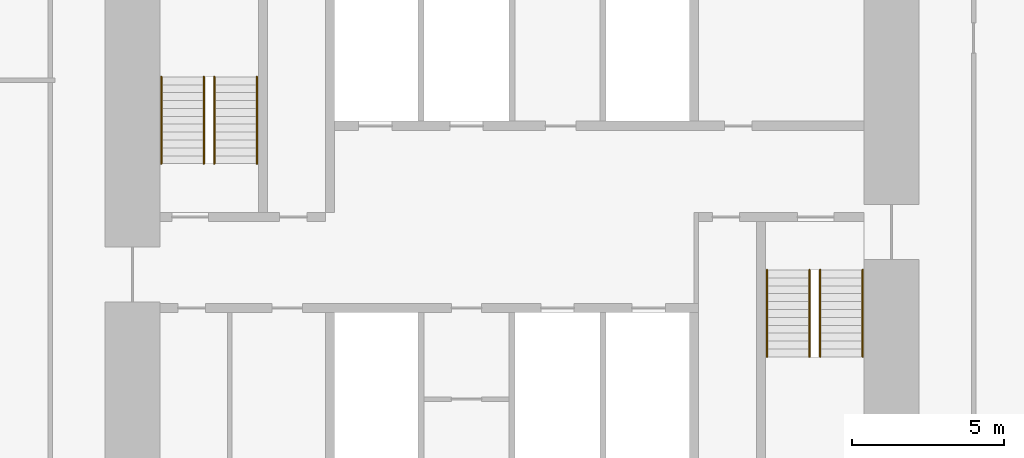
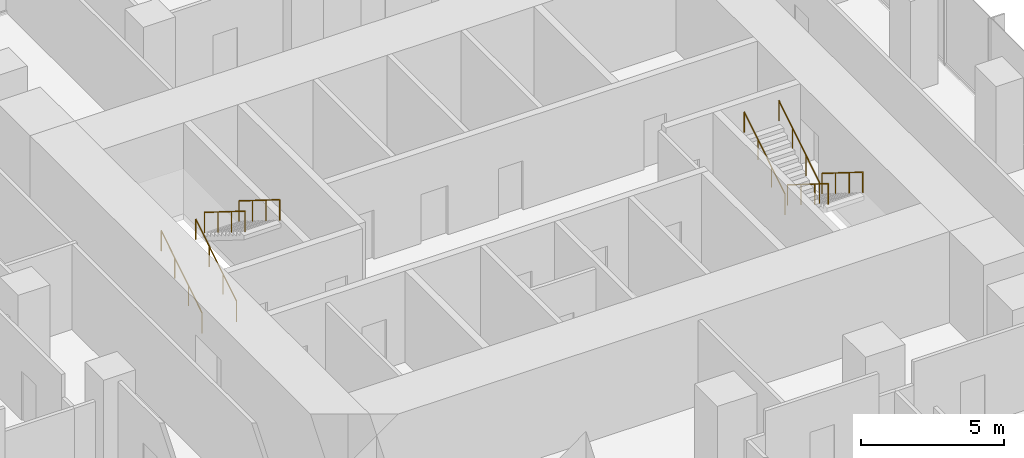
# One storey, part 11 of 11: 8 railings.
"""IFC4 building model written with IfcOpenShell, lengths in metres."""

import ifcopenshell
import ifcopenshell.guid

model = None  # the IFC model being written
_history = None  # IfcOwnerHistory: only IFC2X3 demands one
_inside = {}  # id of a spatial element -> (the spatial element, [elements in it])
_under = {}  # id of a project, library or spatial element -> (it, [spatial elements below it])
_declared = {}  # id of a project -> (the project, [libraries it declares])
_typed = {}  # id of a type object -> (the type object, [elements of that type])
_made_of = {}  # id of a material, layer set ... -> (it, [elements and type objects made of it])


def new_model(schema):
    """Start an empty IFC model of exactly this schema.

    Asked for "IFC4X3", IfcOpenShell would pick the latest addendum, in which some entities
    have other attributes; the version numbers below select the first issue.
    IFC2X3 requires an IfcOwnerHistory on every rooted entity: one is made here for all.
    """
    global model, _history
    if schema == "IFC4X3":
        model = ifcopenshell.file(schema_version=(4, 3, 0, 0))
    else:
        model = ifcopenshell.file(schema=schema)
    _inside.clear()
    _under.clear()
    _declared.clear()
    _typed.clear()
    _made_of.clear()
    _history = None
    if model.schema == "IFC2X3":
        org = make("IfcOrganization", Name="unknown")
        user = make(
            "IfcPersonAndOrganization",
            ThePerson=make("IfcPerson", FamilyName="unknown"),
            TheOrganization=org,
        )
        app = make(
            "IfcApplication",
            ApplicationDeveloper=org,
            Version="unknown",
            ApplicationFullName="unknown",
            ApplicationIdentifier="unknown",
        )
        _history = make(
            "IfcOwnerHistory",
            OwningUser=user,
            OwningApplication=app,
            ChangeAction="ADDED",
            CreationDate=0,
        )
    return model


def make(cls, **values):
    """One entity of the class cls with the attributes given. An attribute that is None is left unset."""
    return model.create_entity(
        cls, **{name: value for name, value in values.items() if value is not None}
    )


def rooted(cls, **values):
    """An entity with a GlobalId (a new one), such as an element, a storey or a relation."""
    return make(cls, GlobalId=ifcopenshell.guid.new(), OwnerHistory=_history, **values)


def si_unit(unit_type, name, prefix=None):
    """IfcSIUnit, for example si_unit("LENGTHUNIT", "METRE", prefix="MILLI")."""
    return make("IfcSIUnit", UnitType=unit_type, Prefix=prefix, Name=name)


def assignment(units):
    """IfcUnitAssignment: the units of a project."""
    return None if units is None else make("IfcUnitAssignment", Units=units)


def point(xyz):
    """IfcCartesianPoint."""
    return None if xyz is None else make("IfcCartesianPoint", Coordinates=xyz)


def direction(xyz):
    """IfcDirection."""
    return None if xyz is None else make("IfcDirection", DirectionRatios=xyz)


def frame(location, z_axis=None, x_axis=None):
    """IfcAxis2Placement3D, a coordinate frame: its origin and axes. An axis left out is left unset."""
    return make(
        "IfcAxis2Placement3D",
        Location=point(location),
        Axis=direction(z_axis),
        RefDirection=direction(x_axis),
    )


def frame_2d(location, x_axis=None):
    """IfcAxis2Placement2D, a coordinate frame in the plane: its origin and x axis."""
    return make(
        "IfcAxis2Placement2D", Location=point(location), RefDirection=direction(x_axis)
    )


def origin():
    """The frame at (0, 0, 0) with its axes left unset."""
    return frame((0.0, 0.0, 0.0))


def origin_2d():
    """The frame at (0, 0) in the plane with its x axis left unset."""
    return frame_2d((0.0, 0.0))


def place(relative_to, where):
    """IfcLocalPlacement: puts the frame where relative to a parent placement (None: the world)."""
    return make(
        "IfcLocalPlacement", PlacementRelTo=relative_to, RelativePlacement=where
    )


def context(
    kind, dimensions, precision=None, world=None, true_north=None, identifier=None
):
    """IfcGeometricRepresentationContext, for example the 3D "Model" context."""
    return make(
        "IfcGeometricRepresentationContext",
        ContextIdentifier=identifier,
        ContextType=kind,
        CoordinateSpaceDimension=dimensions,
        Precision=precision,
        WorldCoordinateSystem=world,
        TrueNorth=true_north,
    )


def subcontext(parent, identifier, kind, view, scale=None):
    """IfcGeometricRepresentationSubContext, for example "Body" below "Model"."""
    return make(
        "IfcGeometricRepresentationSubContext",
        ContextIdentifier=identifier,
        ContextType=kind,
        ParentContext=parent,
        TargetScale=scale,
        TargetView=view,
    )


def project(units=None, contexts=None):
    """IfcProject with its units and contexts."""
    return rooted(
        "IfcProject",
        Name="project",
        RepresentationContexts=contexts,
        UnitsInContext=assignment(units),
    )


def spatial(cls, under=None, at=None, **own):
    """A site, building, storey or space (cls), placed at a placement, below another one or the project."""
    s = rooted(cls, ObjectPlacement=at, **own)
    if under is not None:
        _under.setdefault(under.id(), (under, []))[1].append(s)
    return s


def profile(cls, at=None, kind="AREA", **sizes):
    """A parametric profile (cls). Its sizes go by their IFC names, for example OverallWidth=200.0."""
    return make(cls, ProfileType=kind, Position=at, **sizes)


def circle(**sizes):
    """IfcCircleProfileDef."""
    return profile("IfcCircleProfileDef", **sizes)


def extrude(swept, where, along, depth):
    """IfcExtrudedAreaSolid: the profile swept, set in the frame where, extruded along a direction by depth."""
    return make(
        "IfcExtrudedAreaSolid",
        SweptArea=swept,
        Position=where,
        ExtrudedDirection=direction(along),
        Depth=depth,
    )


def shape(context_of_items, identifier, shape_type, items):
    """IfcShapeRepresentation: the items that make up one representation, for example the "Body"."""
    return make(
        "IfcShapeRepresentation",
        ContextOfItems=context_of_items,
        RepresentationIdentifier=identifier,
        RepresentationType=shape_type,
        Items=items,
    )


def material(Name=None, Category=None):
    """IfcMaterial."""
    return make("IfcMaterial", Name=Name, Category=Category)


def made_of(thing, what):
    """Note that an element or type object is made of a material, layer set ...; save() writes the relation."""
    if what is not None:
        _made_of.setdefault(what.id(), (what, []))[1].append(thing)
    return thing


def type_object(cls, material=None, **own):
    """A type object (cls), such as IfcWallType, which elements share."""
    return made_of(rooted(cls, **own), material)


def element(
    cls,
    number,
    at=None,
    inside=None,
    cuts=None,
    type_object=None,
    material=None,
    context=None,
    identifier="Body",
    shape_type=None,
    held_by="IfcProductDefinitionShape",
    body=None,
    shapes=None,
    **own,
):
    """One element of the class cls, such as IfcWall. Its Tag is "e" and its number.

    at: its placement. inside: the storey or other place that contains it. cuts: it is an
    opening in that element (IfcRelVoidsElement). A single representation is given by context,
    identifier, shape_type and body (its items); several are given by shapes. held_by: the class
    of the entity that holds the representations. save() writes the other relations.
    """
    e = rooted(cls, Tag="e%d" % number, ObjectPlacement=at, **own)
    if body is not None:
        shapes = [shape(context, identifier, shape_type, body)]
    if shapes is not None:
        e.Representation = make(held_by, Representations=shapes)
    if inside is not None:
        _inside.setdefault(inside.id(), (inside, []))[1].append(e)
    if cuts is not None:
        rooted(
            "IfcRelVoidsElement", RelatingBuildingElement=cuts, RelatedOpeningElement=e
        )
    if type_object is not None:
        _typed.setdefault(type_object.id(), (type_object, []))[1].append(e)
    return made_of(e, material)


def aggregate(whole, parts):
    """IfcRelAggregates: a whole, such as a stair, and the parts it consists of."""
    return rooted("IfcRelAggregates", RelatingObject=whole, RelatedObjects=parts)


def save(model, path):
    """Write the relations noted so far, then the file.

    IfcRelAggregates (storeys below a building ...), IfcRelContainedInSpatialStructure (elements
    in a storey), IfcRelDefinesByType, IfcRelAssociatesMaterial and IfcRelDeclares: one each for
    every whole, place, type object, material and project.
    """
    for whole, parts in _under.values():
        aggregate(whole, parts)
    for where, things in _inside.values():
        rooted(
            "IfcRelContainedInSpatialStructure",
            RelatedElements=things,
            RelatingStructure=where,
        )
    for kind, things in _typed.values():
        rooted("IfcRelDefinesByType", RelatedObjects=things, RelatingType=kind)
    for what, things in _made_of.values():
        rooted("IfcRelAssociatesMaterial", RelatedObjects=things, RelatingMaterial=what)
    for by, libraries in _declared.values():
        rooted("IfcRelDeclares", RelatingContext=by, RelatedDefinitions=libraries)
    model.write(path)


model = new_model("IFC4")

# Units and contexts
model_context = context("Model", 3, precision=1e-05, world=origin(), true_north=direction((0.0, 1.0)))
body_context = subcontext(model_context, "Body", "Model", "MODEL_VIEW")
ifc_project = project(units=[si_unit("LENGTHUNIT", "METRE"), si_unit("AREAUNIT", "SQUARE_METRE"), si_unit("VOLUMEUNIT", "CUBIC_METRE"), si_unit("PLANEANGLEUNIT", "RADIAN"), si_unit("MASSUNIT", "GRAM", prefix="KILO")], contexts=[model_context])

# Site, building, storey
site_placement = place(None, origin())
site = spatial("IfcSite", under=ifc_project, at=site_placement, CompositionType="ELEMENT")
building_placement = place(site_placement, origin())
building = spatial("IfcBuilding", under=site, at=building_placement, Name="Highveld Stack Headquarters", CompositionType="ELEMENT")
storey_placement = place(building_placement, frame((0.0, 0.0, 220.10009765625)))
storey = spatial("IfcBuildingStorey", under=building, at=storey_placement, Name="L54", CompositionType="ELEMENT", Elevation=220.10009765625)

# Railings
ifc_material = material(Name="Stainless steel handrail", Category="steel")
railing_type = type_object("IfcRailingType", Name="STAIR HANDRAIL HR1 900", PredefinedType="HANDRAIL", material=ifc_material)
for number, where, name in (
    (1, (-5.550048828125, 4.75, 0.162353515625), "Handrail S1 L54 flight 1"),
    (2, (-4.14990234375, 4.75, 0.162353515625), "Handrail S1 L54 flight 1"),
):
    element("IfcRailing", number, at=place(storey_placement, frame(where)), inside=storey, type_object=railing_type, Name=name, PredefinedType="HANDRAIL", context=body_context, shape_type="SweptSolid", body=[
        extrude(circle(Radius=0.02392578125, at=origin_2d()), frame((0.0, 0.0, 0.8759765625), z_axis=(0.0, 0.847994237388, 0.530005446535), x_axis=(-1.0, 0.0, 0.0)), (0.0, 0.0, 1.0), 3.372802734375),
        extrude(circle(Radius=0.02099609375, at=origin_2d()), origin(), (0.0, 0.0, 1.0), 0.851806640625),
        extrude(circle(Radius=0.02099609375, at=origin_2d()), frame((0.0, 0.953369140625, 0.595947265625)), (0.0, 0.0, 1.0), 0.851806640625),
        extrude(circle(Radius=0.02099609375, at=origin_2d()), frame((0.0, 1.90673828125, 1.191650390625)), (0.0, 0.0, 1.0), 0.851806640625),
        extrude(circle(Radius=0.02099609375, at=origin_2d()), frame((0.0, 2.860107421875, 1.78759765625)), (0.0, 0.0, 1.0), 0.851806640625),
    ])
for number, where, name in (
    (3, (-3.800048828125, 7.610107421875, 2.1123046875), "Handrail S1 L54 flight 2"),
    (4, (-2.39990234375, 7.610107421875, 2.1123046875), "Handrail S1 L54 flight 2"),
    (5, (16.14990234375, 1.25, 0.162353515625), "Handrail S2 L54 flight 1"),
    (6, (17.550048828125, 1.25, 0.162353515625), "Handrail S2 L54 flight 1"),
):
    element("IfcRailing", number, at=place(storey_placement, frame(where)), inside=storey, type_object=railing_type, Name=name, PredefinedType="HANDRAIL", context=body_context, shape_type="SweptSolid", body=[
        extrude(circle(Radius=0.02392578125, at=origin_2d()), frame((0.0, 0.0, 0.8759765625), z_axis=(0.0, -0.847994237388, 0.530005446535), x_axis=(1.0, 0.0, 0.0)), (0.0, 0.0, 1.0), 3.372802734375),
        extrude(circle(Radius=0.02099609375, at=origin_2d()), origin(), (0.0, 0.0, 1.0), 0.851806640625),
        extrude(circle(Radius=0.02099609375, at=origin_2d()), frame((0.0, -0.953369140625, 0.595947265625)), (0.0, 0.0, 1.0), 0.851806640625),
        extrude(circle(Radius=0.02099609375, at=origin_2d()), frame((0.0, -1.90673828125, 1.191650390625)), (0.0, 0.0, 1.0), 0.851806640625),
        extrude(circle(Radius=0.02099609375, at=origin_2d()), frame((0.0, -2.860107421875, 1.78759765625)), (0.0, 0.0, 1.0), 0.851806640625),
    ])
for number, where, name in (
    (7, (14.39990234375, -1.610107421875, 2.1123046875), "Handrail S2 L54 flight 2"),
    (8, (15.800048828125, -1.610107421875, 2.1123046875), "Handrail S2 L54 flight 2"),
):
    element("IfcRailing", number, at=place(storey_placement, frame(where)), inside=storey, type_object=railing_type, Name=name, PredefinedType="HANDRAIL", context=body_context, shape_type="SweptSolid", body=[
        extrude(circle(Radius=0.02392578125, at=origin_2d()), frame((0.0, 0.0, 0.8759765625), z_axis=(0.0, 0.847994237388, 0.530005446535), x_axis=(-1.0, 0.0, 0.0)), (0.0, 0.0, 1.0), 3.372802734375),
        extrude(circle(Radius=0.02099609375, at=origin_2d()), origin(), (0.0, 0.0, 1.0), 0.851806640625),
        extrude(circle(Radius=0.02099609375, at=origin_2d()), frame((0.0, 0.953369140625, 0.595947265625)), (0.0, 0.0, 1.0), 0.851806640625),
        extrude(circle(Radius=0.02099609375, at=origin_2d()), frame((0.0, 1.90673828125, 1.191650390625)), (0.0, 0.0, 1.0), 0.851806640625),
        extrude(circle(Radius=0.02099609375, at=origin_2d()), frame((0.0, 2.860107421875, 1.78759765625)), (0.0, 0.0, 1.0), 0.851806640625),
    ])

save(model, "model.ifc")
